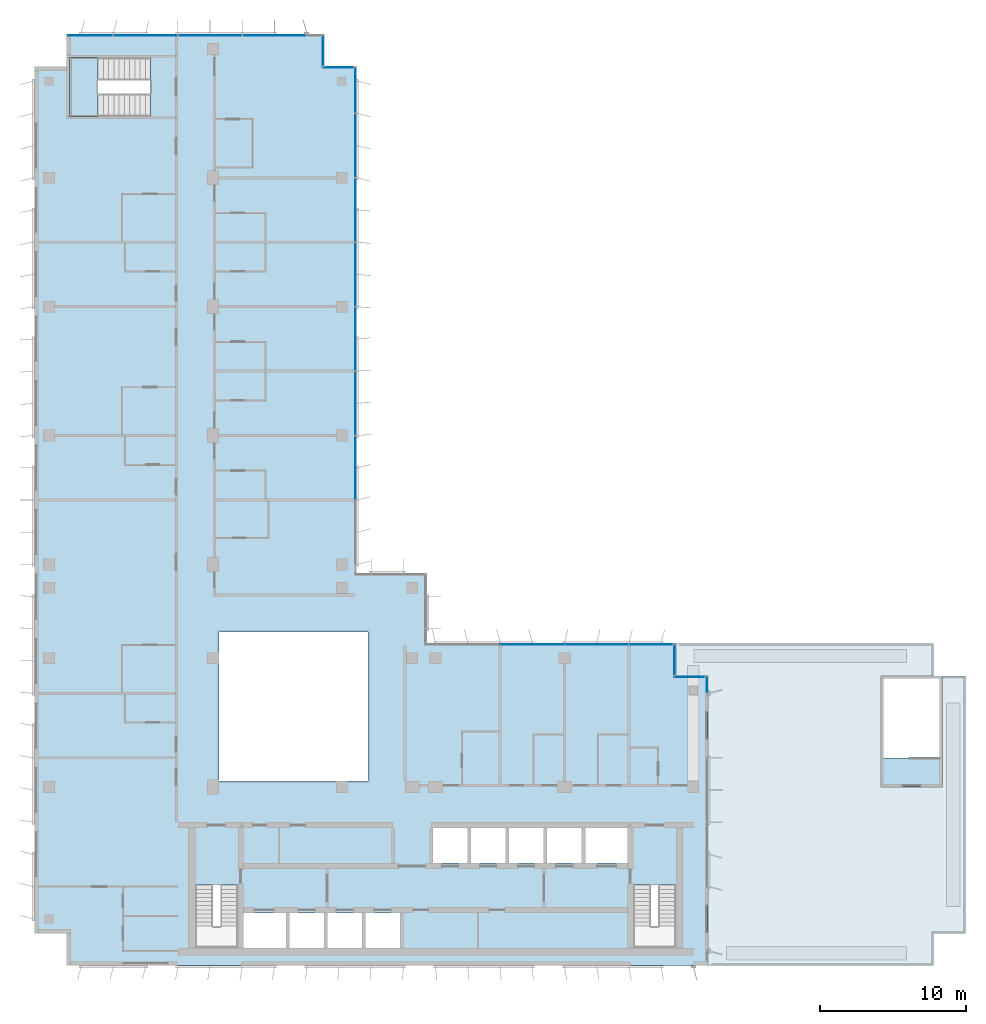
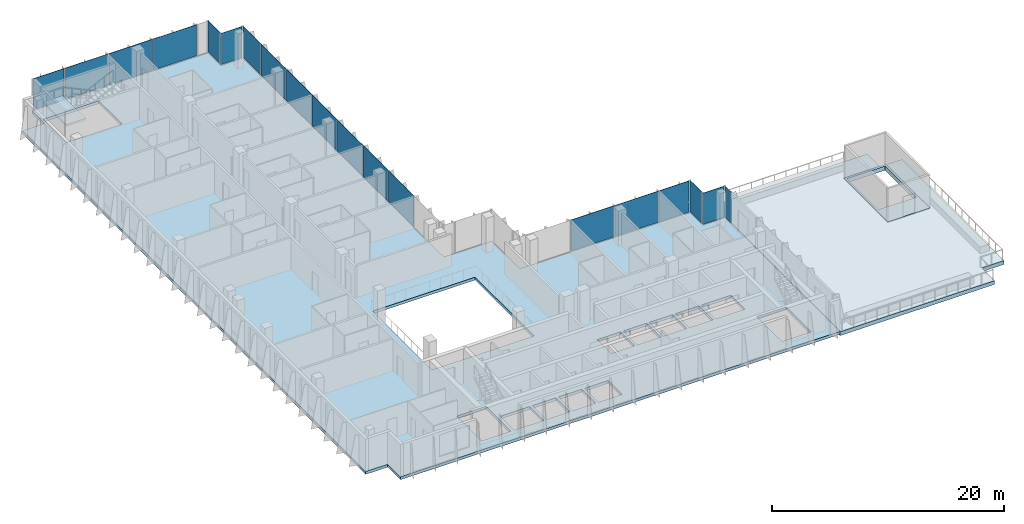
# One storey, part 8 of 17: 19 plates, 4 slabs, 9 elements without a shape of their own.
"""IFC4 building model written with IfcOpenShell, lengths in metres."""

from ifc_helpers import new_model, si_unit, direction, frame, origin, origin_2d, place, context, subcontext, project, spatial, polyline, rectangle, outline, extrude, source, transform, mapped, material, layer, layer_set, type_object, element, aggregate, save


model = new_model("IFC4")

# Units and contexts
model_context = context("Model", 3, precision=1e-05, world=origin(), true_north=direction((0.0, 1.0)))
body_context = subcontext(model_context, "Body", "Model", "MODEL_VIEW")
ifc_project = project(units=[si_unit("LENGTHUNIT", "METRE"), si_unit("AREAUNIT", "SQUARE_METRE"), si_unit("VOLUMEUNIT", "CUBIC_METRE"), si_unit("PLANEANGLEUNIT", "RADIAN"), si_unit("MASSUNIT", "GRAM", prefix="KILO")], contexts=[model_context])

# Site, building, storey
site_placement = place(None, origin())
site = spatial("IfcSite", under=ifc_project, at=site_placement, CompositionType="ELEMENT")
building_placement = place(site_placement, origin())
building = spatial("IfcBuilding", under=site, at=building_placement, Name="Kemantara Hotel Tower", CompositionType="ELEMENT")
storey_placement = place(building_placement, frame((0.0, 0.0, 222.800048828125)))
storey = spatial("IfcBuildingStorey", under=building, at=storey_placement, Name="L55", CompositionType="ELEMENT", Elevation=222.800048828125)

# Slabs
ifc_material_1 = material(Name="Concrete fc 40 MPa", Category="concrete")
ifc_layer_1 = layer(ifc_material_1, 0.449951171875)
ifc_layer_set_1 = layer_set([ifc_layer_1], Name="Concrete fc 40 MPa")
slab_type_1 = type_object("IfcSlabType", Name="Head-house landing slab 450 mm", PredefinedType="LANDING", material=ifc_layer_set_1)
slab_1_placement = place(storey_placement, frame((0.0, 0.0, -0.449951171875)))
element("IfcSlab", 1, at=slab_1_placement, inside=storey, type_object=slab_type_1, Name="Stair ST3 head-house landing", PredefinedType="LANDING", context=body_context, shape_type="SweptSolid", body=[
    extrude(outline(polyline([(57.800048828125, 12.199951171875), (62.0, 12.199951171875), (62.0, 19.800048828125), (57.800048828125, 19.800048828125), (57.800048828125, 12.199951171875)]), holes=[polyline([(61.800048828125, 14.20068359375), (58.0, 14.20068359375), (58.0, 19.60009765625), (61.800048828125, 19.60009765625), (61.800048828125, 14.20068359375)])]), origin(), (0.0, 0.0, 1.0), 0.449951171875),
])
ifc_layer_2 = layer(ifc_material_1, 0.300048828125)
ifc_layer_set_2 = layer_set([ifc_layer_2], Name="Concrete fc 40 MPa")
slab_type_2 = type_object("IfcSlabType", Name="POST-TENSIONED FLAT PLATE 300", PredefinedType="FLOOR", material=ifc_layer_set_2)
slab_2_placement = place(storey_placement, frame((0.0, 0.0, -0.300048828125)))
element("IfcSlab", 2, at=slab_2_placement, inside=storey, type_object=slab_type_2, Name="FLOOR SLAB L55", PredefinedType="FLOOR", context=body_context, shape_type="SweptSolid", body=[
    extrude(outline(polyline([(22.0, 26.800048828125), (22.0, 61.39990234375), (19.800048828125, 61.39990234375), (19.800048828125, 63.60009765625), (2.199951171875, 63.60009765625), (2.199951171875, 61.39990234375), (0.0, 61.39990234375), (0.0, 2.199951171875), (2.199951171875, 2.199951171875), (2.199951171875, 0.0), (46.0, 0.0), (46.0, 19.800048828125), (43.800048828125, 19.800048828125), (43.800048828125, 22.0), (26.800048828125, 22.0), (26.800048828125, 26.800048828125), (22.0, 26.800048828125)]), holes=[polyline([(17.175048828125, 3.60009765625), (17.175048828125, 1.199951171875), (14.22509765625, 1.199951171875), (14.22509765625, 3.60009765625), (17.175048828125, 3.60009765625)]), polyline([(19.77490234375, 1.199951171875), (17.425048828125, 1.199951171875), (17.425048828125, 3.60009765625), (19.77490234375, 3.60009765625), (19.77490234375, 1.199951171875)]), polyline([(22.375, 1.199951171875), (20.02490234375, 1.199951171875), (20.02490234375, 3.60009765625), (22.375, 3.60009765625), (22.375, 1.199951171875)]), polyline([(24.97509765625, 3.60009765625), (24.97509765625, 1.199951171875), (22.625, 1.199951171875), (22.625, 3.60009765625), (24.97509765625, 3.60009765625)]), polyline([(11.0, 1.199951171875), (11.0, 5.49951171875), (13.89990234375, 5.49951171875), (13.89990234375, 1.199951171875), (11.0, 1.199951171875)]), polyline([(22.800048828125, 12.60009765625), (12.60009765625, 12.60009765625), (12.60009765625, 22.800048828125), (22.800048828125, 22.800048828125), (22.800048828125, 12.60009765625)]), polyline([(2.39990234375, 58.0), (2.39990234375, 62.0), (7.949462890625, 62.0), (7.949462890625, 58.0), (2.39990234375, 58.0)]), polyline([(40.89990234375, 1.199951171875), (40.89990234375, 5.49951171875), (43.800048828125, 5.49951171875), (43.800048828125, 1.199951171875), (40.89990234375, 1.199951171875)]), polyline([(29.574951171875, 7.0), (27.22509765625, 7.0), (27.22509765625, 9.39990234375), (29.574951171875, 9.39990234375), (29.574951171875, 7.0)]), polyline([(32.175048828125, 7.0), (29.824951171875, 7.0), (29.824951171875, 9.39990234375), (32.175048828125, 9.39990234375), (32.175048828125, 7.0)]), polyline([(34.77490234375, 7.0), (32.425048828125, 7.0), (32.425048828125, 9.39990234375), (34.77490234375, 9.39990234375), (34.77490234375, 7.0)]), polyline([(37.375, 7.0), (35.02490234375, 7.0), (35.02490234375, 9.39990234375), (37.375, 9.39990234375), (37.375, 7.0)]), polyline([(40.574951171875, 7.0), (37.625, 7.0), (37.625, 9.39990234375), (40.574951171875, 9.39990234375), (40.574951171875, 7.0)])]), origin(), (0.0, 0.0, 1.0), 0.300048828125),
])
ifc_layer_3 = layer(ifc_material_1, 0.39990234375)
ifc_layer_set_3 = layer_set([ifc_layer_3], Name="Concrete fc 40 MPa")
slab_type_3 = type_object("IfcSlabType", Name="REINFORCED DECK SLAB 400", PredefinedType="FLOOR", material=ifc_layer_set_3)
slab_3_placement = place(storey_placement, frame((0.0, 0.0, -0.449951171875)))
element("IfcSlab", 3, at=slab_3_placement, inside=storey, type_object=slab_type_3, Name="TERRACE SLAB S3", PredefinedType="FLOOR", context=body_context, shape_type="SweptSolid", body=[
    extrude(outline(polyline([(63.60009765625, 19.800048828125), (62.0, 19.800048828125), (62.0, 12.199951171875), (57.800048828125, 12.199951171875), (57.800048828125, 19.800048828125), (61.39990234375, 19.800048828125), (61.39990234375, 22.0), (43.800048828125, 22.0), (43.800048828125, 19.800048828125), (46.0, 19.800048828125), (46.0, 0.0), (61.39990234375, 0.0), (61.39990234375, 2.199951171875), (63.60009765625, 2.199951171875), (63.60009765625, 19.800048828125)])), origin(), (0.0, 0.0, 1.0), 0.39990234375),
])

# Stair, slab
stair_type = type_object("IfcStairType", Name="Stair 1550 wide 22 risers of 168 x 360 mm", PredefinedType="HALF_TURN_STAIR", material=ifc_material_1)
stair_placement = place(storey_placement, origin())
stair = element("IfcStair", 4, at=stair_placement, inside=storey, type_object=stair_type, Name="L55 Exit stair ST4", PredefinedType="HALF_TURN_STAIR")
ifc_layer_4 = layer(ifc_material_1, 0.199951171875)
ifc_layer_set_4 = layer_set([ifc_layer_4], Name="Concrete fc 40 MPa")
slab_type_4 = type_object("IfcSlabType", Name="Stair landing 200 mm", PredefinedType="LANDING", material=ifc_layer_set_4)
slab_4_placement = place(storey_placement, frame((0.0, 0.0, 1.64990234375)))
slab_4 = element("IfcSlab", 5, at=slab_4_placement, type_object=slab_type_4, Name="ST4 landing 1", PredefinedType="LANDING", context=body_context, shape_type="SweptSolid", body=[
    extrude(outline(polyline([(4.35009765625, 62.0), (2.39990234375, 62.0), (2.39990234375, 58.0), (4.35009765625, 58.0), (4.35009765625, 62.0)])), origin(), (0.0, 0.0, 1.0), 0.199951171875),
])
aggregate(stair, [slab_4])

# Curtain wall, plates
ifc_material_2 = material(Name="Low-E tinted double insulated glass 36 mm", Category="glass")
curtain_wall_type_1 = type_object("IfcCurtainWallType", Name="TOWER CURTAIN WALL, FRONT FACES", PredefinedType="USERDEFINED", material=ifc_material_2)
curtain_wall_1_placement = place(storey_placement, origin())
curtain_wall_1 = element("IfcCurtainWall", 6, at=curtain_wall_1_placement, inside=storey, type_object=curtain_wall_type_1, Name="CW4 L55 T4-R02-1", ObjectType="TOWER CURTAIN WALL, FRONT FACES", PredefinedType="USERDEFINED")
ifc_layer_5 = layer(ifc_material_2, 0.035888671875)
ifc_layer_set_5 = layer_set([ifc_layer_5], Name="Low-E tinted double insulated glass 36 mm")
plate_type_1 = type_object("IfcPlateType", Name="TOWER CURTAIN WALL, FRONT FACES PANEL", PredefinedType="CURTAIN_PANEL", material=ifc_layer_set_5)
shared_shape_1 = source(origin(), body_context, "Body", "SweptSolid", [
    extrude(rectangle(XDim=4.340087890625, YDim=0.035888671875, at=origin_2d()), origin(), (0.0, 0.0, 1.0), 3.280029296875),
])
plate_1_placement = place(storey_placement, frame((16.39990234375, 63.52490234375, 0.1201171875), z_axis=(0.0, 0.0, 1.0), x_axis=(-1.0, 0.0, 0.0)))
plate_1 = element("IfcPlate", 7, at=plate_1_placement, type_object=plate_type_1, Name="CW4 glass panel T4-R02-1.2", PredefinedType="CURTAIN_PANEL", context=body_context, shape_type="MappedRepresentation", body=[
    mapped(shared_shape_1, transform((0.0, 0.0, 0.0))),
])
plate_2_placement = place(storey_placement, frame((12.0, 63.52490234375, 0.1201171875), z_axis=(0.0, 0.0, 1.0), x_axis=(-1.0, 0.0, 0.0)))
plate_2 = element("IfcPlate", 8, at=plate_2_placement, type_object=plate_type_1, Name="CW4 glass panel T4-R02-1.3", PredefinedType="CURTAIN_PANEL", context=body_context, shape_type="MappedRepresentation", body=[
    mapped(shared_shape_1, transform((0.0, 0.0, 0.0))),
])
plate_3_placement = place(storey_placement, frame((7.60009765625, 63.52490234375, 0.1201171875), z_axis=(0.0, 0.0, 1.0), x_axis=(-1.0, 0.0, 0.0)))
plate_3 = element("IfcPlate", 9, at=plate_3_placement, type_object=plate_type_1, Name="CW4 glass panel T4-R02-1.4", PredefinedType="CURTAIN_PANEL", context=body_context, shape_type="MappedRepresentation", body=[
    mapped(shared_shape_1, transform((0.0, 0.0, 0.0))),
])

curtain_wall_2_placement = place(storey_placement, origin())
curtain_wall_2 = element("IfcCurtainWall", 10, at=curtain_wall_2_placement, inside=storey, type_object=curtain_wall_type_1, Name="CW4 L55 T4-R12-1", ObjectType="TOWER CURTAIN WALL, FRONT FACES", PredefinedType="USERDEFINED")
plate_4_placement = place(storey_placement, frame((38.39990234375, 21.925048828125, 0.1201171875), z_axis=(0.0, 0.0, 1.0), x_axis=(-1.0, 0.0, 0.0)))
plate_4 = element("IfcPlate", 11, at=plate_4_placement, type_object=plate_type_1, Name="CW4 glass panel T4-R12-1.2", PredefinedType="CURTAIN_PANEL", context=body_context, shape_type="MappedRepresentation", body=[
    mapped(shared_shape_1, transform((0.0, 0.0, 0.0))),
])
plate_5_placement = place(storey_placement, frame((34.0, 21.925048828125, 0.1201171875), z_axis=(0.0, 0.0, 1.0), x_axis=(-1.0, 0.0, 0.0)))
plate_5 = element("IfcPlate", 12, at=plate_5_placement, type_object=plate_type_1, Name="CW4 glass panel T4-R12-1.3", PredefinedType="CURTAIN_PANEL", context=body_context, shape_type="MappedRepresentation", body=[
    mapped(shared_shape_1, transform((0.0, 0.0, 0.0))),
])

curtain_wall_3_placement = place(storey_placement, origin())
curtain_wall_3 = element("IfcCurtainWall", 13, at=curtain_wall_3_placement, inside=storey, type_object=curtain_wall_type_1, Name="CW4 L55 T4-R15-1", ObjectType="TOWER CURTAIN WALL, FRONT FACES", PredefinedType="USERDEFINED")
plate_6_placement = place(storey_placement, frame((21.925048828125, 34.0, 0.1201171875), z_axis=(0.0, 0.0, 1.0), x_axis=(0.0, 1.0, 0.0)))
plate_6 = element("IfcPlate", 14, at=plate_6_placement, type_object=plate_type_1, Name="CW4 glass panel T4-R15-1.3", PredefinedType="CURTAIN_PANEL", context=body_context, shape_type="MappedRepresentation", body=[
    mapped(shared_shape_1, transform((0.0, 0.0, 0.0))),
])
plate_7_placement = place(storey_placement, frame((21.925048828125, 38.39990234375, 0.1201171875), z_axis=(0.0, 0.0, 1.0), x_axis=(0.0, 1.0, 0.0)))
plate_7 = element("IfcPlate", 15, at=plate_7_placement, type_object=plate_type_1, Name="CW4 glass panel T4-R15-1.4", PredefinedType="CURTAIN_PANEL", context=body_context, shape_type="MappedRepresentation", body=[
    mapped(shared_shape_1, transform((0.0, 0.0, 0.0))),
])
plate_8_placement = place(storey_placement, frame((21.925048828125, 42.800048828125, 0.1201171875), z_axis=(0.0, 0.0, 1.0), x_axis=(0.0, 1.0, 0.0)))
plate_8 = element("IfcPlate", 16, at=plate_8_placement, type_object=plate_type_1, Name="CW4 glass panel T4-R15-1.5", PredefinedType="CURTAIN_PANEL", context=body_context, shape_type="MappedRepresentation", body=[
    mapped(shared_shape_1, transform((0.0, 0.0, 0.0))),
])
plate_9_placement = place(storey_placement, frame((21.925048828125, 47.199951171875, 0.1201171875), z_axis=(0.0, 0.0, 1.0), x_axis=(0.0, 1.0, 0.0)))
plate_9 = element("IfcPlate", 17, at=plate_9_placement, type_object=plate_type_1, Name="CW4 glass panel T4-R15-1.6", PredefinedType="CURTAIN_PANEL", context=body_context, shape_type="MappedRepresentation", body=[
    mapped(shared_shape_1, transform((0.0, 0.0, 0.0))),
])
plate_10_placement = place(storey_placement, frame((21.925048828125, 51.60009765625, 0.1201171875), z_axis=(0.0, 0.0, 1.0), x_axis=(0.0, 1.0, 0.0)))
plate_10 = element("IfcPlate", 18, at=plate_10_placement, type_object=plate_type_1, Name="CW4 glass panel T4-R15-1.7", PredefinedType="CURTAIN_PANEL", context=body_context, shape_type="MappedRepresentation", body=[
    mapped(shared_shape_1, transform((0.0, 0.0, 0.0))),
])
plate_11_placement = place(storey_placement, frame((21.925048828125, 56.0, 0.1201171875), z_axis=(0.0, 0.0, 1.0), x_axis=(0.0, 1.0, 0.0)))
plate_11 = element("IfcPlate", 19, at=plate_11_placement, type_object=plate_type_1, Name="CW4 glass panel T4-R15-1.8", PredefinedType="CURTAIN_PANEL", context=body_context, shape_type="MappedRepresentation", body=[
    mapped(shared_shape_1, transform((0.0, 0.0, 0.0))),
])

# Plate
shared_shape_2 = source(origin(), body_context, "Body", "SweptSolid", [
    extrude(rectangle(XDim=3.110107421875, YDim=0.035888671875, at=origin_2d()), origin(), (0.0, 0.0, 1.0), 3.280029296875),
])
plate_12_placement = place(storey_placement, frame((3.81494140625, 63.52490234375, 0.1201171875), z_axis=(0.0, 0.0, 1.0), x_axis=(-1.0, 0.0, 0.0)))
plate_12 = element("IfcPlate", 20, at=plate_12_placement, type_object=plate_type_1, Name="CW4 glass panel T4-R02-1.5", PredefinedType="CURTAIN_PANEL", context=body_context, shape_type="MappedRepresentation", body=[
    mapped(shared_shape_2, transform((0.0, 0.0, 0.0))),
])

aggregate(curtain_wall_1, [plate_1, plate_2, plate_3, plate_12])

plate_13_placement = place(storey_placement, frame((21.925048828125, 59.784912109375, 0.1201171875), z_axis=(0.0, 0.0, 1.0), x_axis=(0.0, 1.0, 0.0)))
plate_13 = element("IfcPlate", 21, at=plate_13_placement, type_object=plate_type_1, Name="CW4 glass panel T4-R15-1.9", PredefinedType="CURTAIN_PANEL", context=body_context, shape_type="MappedRepresentation", body=[
    mapped(shared_shape_2, transform((0.0, 0.0, 0.0))),
])

aggregate(curtain_wall_3, [plate_6, plate_7, plate_8, plate_9, plate_10, plate_11, plate_13])

# Curtain wall, plate
curtain_wall_4_placement = place(storey_placement, origin())
curtain_wall_4 = element("IfcCurtainWall", 22, at=curtain_wall_4_placement, inside=storey, type_object=curtain_wall_type_1, Name="CW4 L55 T4-R00-1", ObjectType="TOWER CURTAIN WALL, FRONT FACES", PredefinedType="USERDEFINED")
shared_shape_3 = source(origin(), body_context, "Body", "SweptSolid", [
    extrude(rectangle(XDim=2.080078125, YDim=0.035888671875, at=origin_2d()), origin(), (0.0, 0.0, 1.0), 3.280029296875),
])
plate_14_placement = place(storey_placement, frame((20.75, 61.324951171875, 0.1201171875), z_axis=(0.0, 0.0, 1.0), x_axis=(-1.0, 0.0, 0.0)))
plate_14 = element("IfcPlate", 23, at=plate_14_placement, type_object=plate_type_1, Name="CW4 glass panel T4-R00-1.1", PredefinedType="CURTAIN_PANEL", context=body_context, shape_type="MappedRepresentation", body=[
    mapped(shared_shape_3, transform((0.0, 0.0, 0.0))),
])
aggregate(curtain_wall_4, [plate_14])

curtain_wall_5_placement = place(storey_placement, origin())
curtain_wall_5 = element("IfcCurtainWall", 24, at=curtain_wall_5_placement, inside=storey, type_object=curtain_wall_type_1, Name="CW4 L55 T4-R01-1", ObjectType="TOWER CURTAIN WALL, FRONT FACES", PredefinedType="USERDEFINED")
plate_15_placement = place(storey_placement, frame((19.72509765625, 62.5, 0.1201171875), z_axis=(0.0, 0.0, 1.0), x_axis=(0.0, 1.0, 0.0)))
plate_15 = element("IfcPlate", 25, at=plate_15_placement, type_object=plate_type_1, Name="CW4 glass panel T4-R01-1.1", PredefinedType="CURTAIN_PANEL", context=body_context, shape_type="MappedRepresentation", body=[
    mapped(shared_shape_3, transform((0.0, 0.0, 0.0))),
])
aggregate(curtain_wall_5, [plate_15])

ifc_material_3 = material(Name="Toughened tinted glass 32 mm", Category="glass")
curtain_wall_type_2 = type_object("IfcCurtainWallType", Name="TERRACE GLAZING WALL", PredefinedType="USERDEFINED", material=ifc_material_3)
curtain_wall_6_placement = place(storey_placement, origin())
curtain_wall_6 = element("IfcCurtainWall", 26, at=curtain_wall_6_placement, inside=storey, type_object=curtain_wall_type_2, Name="CW6 L55 T4-R10-1", ObjectType="TERRACE GLAZING WALL", PredefinedType="USERDEFINED")
ifc_layer_6 = layer(ifc_material_3, 0.031982421875)
ifc_layer_set_6 = layer_set([ifc_layer_6], Name="Toughened tinted glass 32 mm")
plate_type_2 = type_object("IfcPlateType", Name="TERRACE GLAZING WALL PANEL", PredefinedType="CURTAIN_PANEL", material=ifc_layer_set_6)
shared_shape_4 = source(origin(), body_context, "Body", "SweptSolid", [
    extrude(rectangle(XDim=2.080078125, YDim=0.031982421875, at=origin_2d()), origin(), (0.0, 0.0, 1.0), 3.280029296875),
])
plate_16_placement = place(storey_placement, frame((44.75, 19.72509765625, 0.1201171875), z_axis=(0.0, 0.0, 1.0), x_axis=(-1.0, 0.0, 0.0)))
plate_16 = element("IfcPlate", 27, at=plate_16_placement, type_object=plate_type_2, Name="CW6 glass panel T4-R10-1.1", PredefinedType="CURTAIN_PANEL", context=body_context, shape_type="MappedRepresentation", body=[
    mapped(shared_shape_4, transform((0.0, 0.0, 0.0))),
])
aggregate(curtain_wall_6, [plate_16])

curtain_wall_7_placement = place(storey_placement, origin())
curtain_wall_7 = element("IfcCurtainWall", 28, at=curtain_wall_7_placement, inside=storey, type_object=curtain_wall_type_2, Name="CW6 L55 T4-R11-1", ObjectType="TERRACE GLAZING WALL", PredefinedType="USERDEFINED")
plate_17_placement = place(storey_placement, frame((43.72509765625, 20.89990234375, 0.1201171875), z_axis=(0.0, 0.0, 1.0), x_axis=(0.0, 1.0, 0.0)))
plate_17 = element("IfcPlate", 29, at=plate_17_placement, type_object=plate_type_2, Name="CW6 glass panel T4-R11-1.1", PredefinedType="CURTAIN_PANEL", context=body_context, shape_type="MappedRepresentation", body=[
    mapped(shared_shape_4, transform((0.0, 0.0, 0.0))),
])
aggregate(curtain_wall_7, [plate_17])

# Plate
shared_shape_5 = source(origin(), body_context, "Body", "SweptSolid", [
    extrude(rectangle(XDim=2.9599609375, YDim=0.035888671875, at=origin_2d()), origin(), (0.0, 0.0, 1.0), 3.280029296875),
])
plate_18_placement = place(storey_placement, frame((42.110107421875, 21.925048828125, 0.1201171875), z_axis=(0.0, 0.0, 1.0), x_axis=(-1.0, 0.0, 0.0)))
plate_18 = element("IfcPlate", 30, at=plate_18_placement, type_object=plate_type_1, Name="CW4 glass panel T4-R12-1.1", PredefinedType="CURTAIN_PANEL", context=body_context, shape_type="MappedRepresentation", body=[
    mapped(shared_shape_5, transform((0.0, 0.0, 0.0))),
])

aggregate(curtain_wall_2, [plate_18, plate_4, plate_5])

# Curtain wall, plate
curtain_wall_8_placement = place(storey_placement, origin())
curtain_wall_8 = element("IfcCurtainWall", 31, at=curtain_wall_8_placement, inside=storey, type_object=curtain_wall_type_2, Name="CW6 L55 T4-R09-3", ObjectType="TERRACE GLAZING WALL", PredefinedType="USERDEFINED")
shared_shape_6 = source(origin(), body_context, "Body", "SweptSolid", [
    extrude(rectangle(XDim=1.110107421875, YDim=0.031982421875, at=origin_2d()), origin(), (0.0, 0.0, 1.0), 3.280029296875),
])
plate_19_placement = place(storey_placement, frame((45.925048828125, 19.18505859375, 0.1201171875), z_axis=(0.0, 0.0, 1.0), x_axis=(0.0, 1.0, 0.0)))
plate_19 = element("IfcPlate", 32, at=plate_19_placement, type_object=plate_type_2, Name="CW6 glass panel T4-R09-3.1", PredefinedType="CURTAIN_PANEL", context=body_context, shape_type="MappedRepresentation", body=[
    mapped(shared_shape_6, transform((0.0, 0.0, 0.0))),
])
aggregate(curtain_wall_8, [plate_19])

save(model, "model.ifc")
